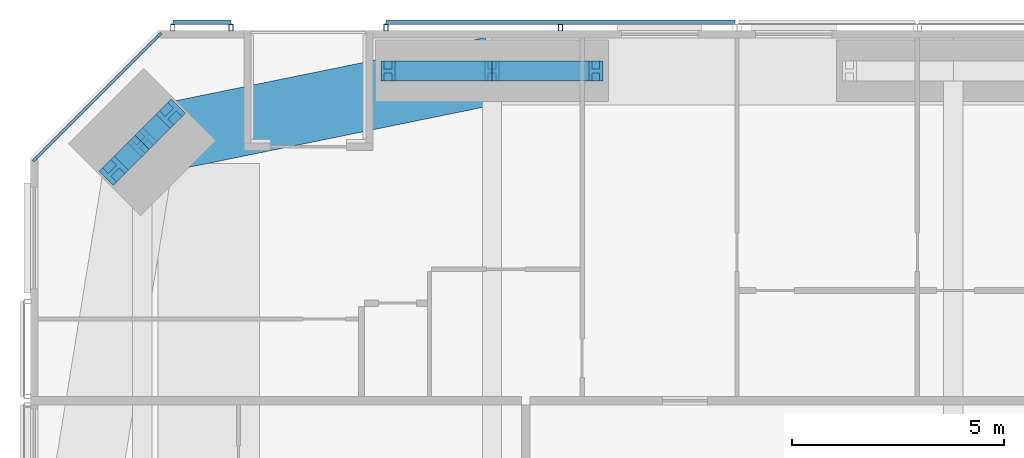
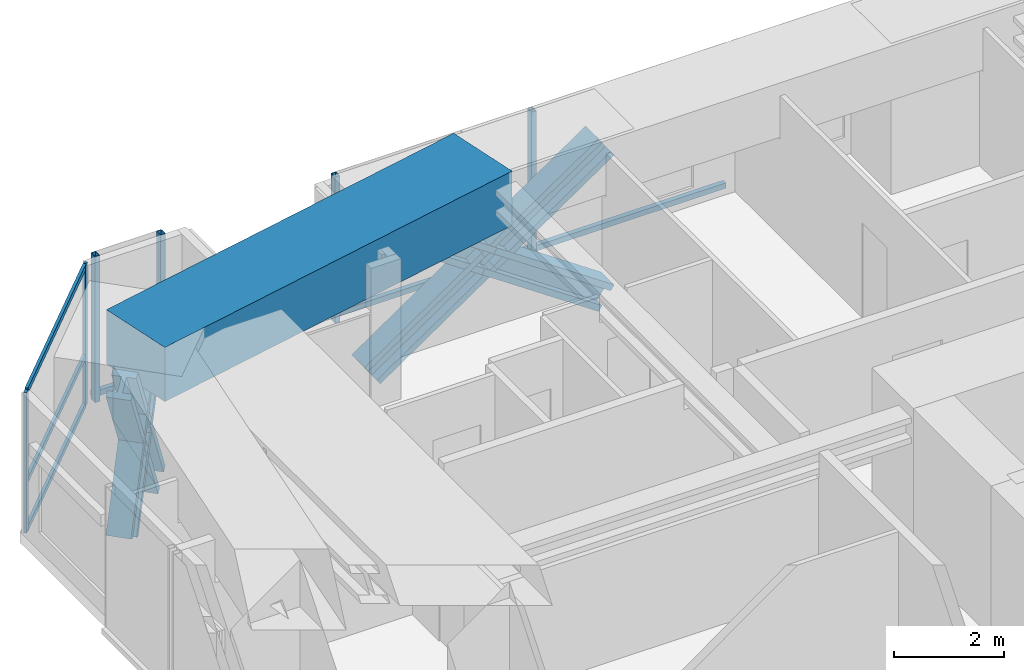
# One storey, part 11 of 23: 19 members, 1 beam, 3 elements without a shape of their own.
"""IFC4 building model written with IfcOpenShell, lengths in metres."""

from ifc_helpers import new_model, si_unit, direction, frame, origin, origin_2d, place, context, subcontext, project, spatial, rectangle, hollow_rectangle, i_section, extrude, material, material_profile, profile_set, type_object, element, aggregate, save


model = new_model("IFC4")

# Units and contexts
model_context = context("Model", 3, precision=1e-05, world=origin(), true_north=direction((0.0, 1.0)))
body_context = subcontext(model_context, "Body", "Model", "MODEL_VIEW")
ifc_project = project(units=[si_unit("LENGTHUNIT", "METRE"), si_unit("AREAUNIT", "SQUARE_METRE"), si_unit("VOLUMEUNIT", "CUBIC_METRE"), si_unit("PLANEANGLEUNIT", "RADIAN"), si_unit("MASSUNIT", "GRAM", prefix="KILO")], contexts=[model_context])

# Site, building, storey
site_placement = place(None, origin())
site = spatial("IfcSite", under=ifc_project, at=site_placement, CompositionType="ELEMENT")
building_placement = place(site_placement, origin())
building = spatial("IfcBuilding", under=site, at=building_placement, Name="Jalousie Tower", CompositionType="ELEMENT")
storey_placement = place(building_placement, frame((0.0, 0.0, 118.25)))
storey = spatial("IfcBuildingStorey", under=building, at=storey_placement, Name="L32", CompositionType="ELEMENT", Elevation=118.25)

# Curtain wall, members
ifc_material_1 = material(Name="Aluminium curtain wall", Category="aluminium")
curtain_wall_type_1 = type_object("IfcCurtainWallType", Name="CORNER WINDOW WALL", PredefinedType="USERDEFINED", material=ifc_material_1)
curtain_wall_1_placement = place(storey_placement, origin())
curtain_wall_1 = element("IfcCurtainWall", 1, at=curtain_wall_1_placement, inside=storey, type_object=curtain_wall_type_1, Name="Corner Window Wall L32 6", ObjectType="CORNER WINDOW WALL", PredefinedType="USERDEFINED")
ifc_material_2 = material(Name="Aluminium mullion", Category="aluminium")
ifc_material_profile_1 = material_profile(ifc_material_2, rectangle(XDim=0.06005859375, YDim=0.14990234375, at=origin_2d()), Name="MULLION 60x150")
ifc_profile_set_1 = profile_set([ifc_material_profile_1], Name="Aluminium mullion")
member_type_1 = type_object("IfcMemberType", Name="CORNER WINDOW WALL MULLION", PredefinedType="MULLION", material=ifc_profile_set_1)
member_1_placement = place(storey_placement, frame((9.030029296875, 37.891357421875, 0.0), z_axis=(0.0, 0.0, 1.0), x_axis=(0.707106781187, -0.707106781187, 0.0)))
member_1 = element("IfcMember", 2, at=member_1_placement, type_object=member_type_1, Name="CW-C mullion 1", PredefinedType="MULLION", context=body_context, shape_type="SweptSolid", body=[
    extrude(rectangle(XDim=0.06005859375, YDim=0.14990234375, at=origin_2d()), origin(), (0.0, 0.0, 1.0), 3.110107421875),
])
member_2_placement = place(storey_placement, frame((6.108642578125, 34.969970703125, 0.0), z_axis=(0.0, 0.0, 1.0), x_axis=(0.707106781187, -0.707106781187, 0.0)))
member_2 = element("IfcMember", 3, at=member_2_placement, type_object=member_type_1, Name="CW-C mullion 2", PredefinedType="MULLION", context=body_context, shape_type="SweptSolid", body=[
    extrude(rectangle(XDim=0.06005859375, YDim=0.14990234375, at=origin_2d()), origin(), (0.0, 0.0, 1.0), 3.110107421875),
])
ifc_material_3 = material(Name="Aluminium transom", Category="aluminium")
ifc_material_profile_2 = material_profile(ifc_material_3, rectangle(XDim=0.06005859375, YDim=0.1201171875, at=origin_2d()), Name="TRANSOM 60x120")
ifc_profile_set_2 = profile_set([ifc_material_profile_2], Name="Aluminium transom")
member_type_2 = type_object("IfcMemberType", Name="CORNER WINDOW WALL TRANSOM", PredefinedType="USERDEFINED", material=ifc_profile_set_2)
member_3_placement = place(storey_placement, frame((9.0087890625, 37.8701171875, 0.030029296875), z_axis=(-0.707106781187, -0.707106781187, 0.0), x_axis=(0.707106781187, -0.707106781187, 0.0)))
member_3 = element("IfcMember", 4, at=member_3_placement, type_object=member_type_2, Name="CW-C transom 1.1", ObjectType="TRANSOM", PredefinedType="USERDEFINED", context=body_context, shape_type="SweptSolid", body=[
    extrude(rectangle(XDim=0.06005859375, YDim=0.1201171875, at=origin_2d()), origin(), (0.0, 0.0, 1.0), 4.0712890625),
])
member_4_placement = place(storey_placement, frame((9.0087890625, 37.8701171875, 1.10009765625), z_axis=(-0.707106781187, -0.707106781187, 0.0), x_axis=(0.707106781187, -0.707106781187, 0.0)))
member_4 = element("IfcMember", 5, at=member_4_placement, type_object=member_type_2, Name="CW-C transom 1.2", ObjectType="TRANSOM", PredefinedType="USERDEFINED", context=body_context, shape_type="SweptSolid", body=[
    extrude(rectangle(XDim=0.06005859375, YDim=0.1201171875, at=origin_2d()), origin(), (0.0, 0.0, 1.0), 4.0712890625),
])
member_5_placement = place(storey_placement, frame((9.0087890625, 37.8701171875, 3.080078125), z_axis=(-0.707106781187, -0.707106781187, 0.0), x_axis=(0.707106781187, -0.707106781187, 0.0)))
member_5 = element("IfcMember", 6, at=member_5_placement, type_object=member_type_2, Name="CW-C transom 1.3", ObjectType="TRANSOM", PredefinedType="USERDEFINED", context=body_context, shape_type="SweptSolid", body=[
    extrude(rectangle(XDim=0.06005859375, YDim=0.1201171875, at=origin_2d()), origin(), (0.0, 0.0, 1.0), 4.0712890625),
])
aggregate(curtain_wall_1, [member_1, member_2, member_3, member_4, member_5])

# Members
ifc_material_4 = material(Name="Steel ASTM A992 Grade 50", Category="steel")
ifc_material_profile_3 = material_profile(ifc_material_4, i_section(OverallWidth=0.472412109375, OverallDepth=0.5791015625, WebThickness=0.094970703125, FlangeThickness=0.1298828125, at=origin_2d()), Name="W14X808")
ifc_profile_set_3 = profile_set([ifc_material_profile_3], Name="Steel ASTM A992 Grade 50")
member_type_3 = type_object("IfcMemberType", Name="PERIMETER BRACE W14X808", PredefinedType="BRACE", material=ifc_profile_set_3)
for number, where, z_axis, x_axis, name in (
    (7, (14.425048828125, 37.050048828125, -0.60009765625), (0.825500916831, 0.0, 0.564400776321), (0.0, 1.0, 0.0), "Perimeter brace 11 L32 part 1"),
    (8, (16.875, 37.050048828125, 1.074951171875), (0.825500916831, 0.0, 0.564400776321), (0.0, 1.0, 0.0), "Perimeter brace 11 L32 part 2"),
    (9, (19.324951171875, 37.050048828125, -0.60009765625), (-0.825500916831, 0.0, 0.564400776321), (0.0, -1.0, 0.0), "Perimeter brace 11 L32 part 3"),
    (10, (16.875, 37.050048828125, 1.074951171875), (-0.825500916831, 0.0, 0.564400776321), (0.0, -1.0, 0.0), "Perimeter brace 11 L32 part 4"),
):
    element("IfcMember", number, at=place(storey_placement, frame(where, z_axis=z_axis, x_axis=x_axis)), inside=storey, type_object=member_type_3, Name=name, PredefinedType="BRACE", context=body_context, shape_type="SweptSolid", body=[
        extrude(i_section(OverallWidth=0.472412109375, OverallDepth=0.5791015625, WebThickness=0.094970703125, FlangeThickness=0.1298828125, at=origin_2d()), origin(), (0.0, 0.0, 1.0), 2.9677734375),
    ])
for number, where, z_axis, x_axis, name in (
    (11, (9.302978515625, 36.040283203125, -0.60009765625), (-0.348789058631, -0.348789058631, 0.869880672943), (0.707106781187, -0.707106781187, 0.0), "Perimeter brace 12 L32 part 1"),
    (12, (8.63134765625, 35.36865234375, 1.074951171875), (-0.348789058631, -0.348789058631, 0.869880672943), (0.707106781187, -0.707106781187, 0.0), "Perimeter brace 12 L32 part 2"),
    (13, (7.959716796875, 34.697021484375, -0.60009765625), (0.348789058631, 0.348789058631, 0.869880672943), (-0.707106781187, 0.707106781187, 0.0), "Perimeter brace 12 L32 part 3"),
    (14, (8.63134765625, 35.36865234375, 1.074951171875), (0.348789058631, 0.348789058631, 0.869880672943), (-0.707106781187, 0.707106781187, 0.0), "Perimeter brace 12 L32 part 4"),
):
    element("IfcMember", number, at=place(storey_placement, frame(where, z_axis=z_axis, x_axis=x_axis)), inside=storey, type_object=member_type_3, Name=name, PredefinedType="BRACE", context=body_context, shape_type="SweptSolid", body=[
        extrude(i_section(OverallWidth=0.472412109375, OverallDepth=0.5791015625, WebThickness=0.094970703125, FlangeThickness=0.1298828125, at=origin_2d()), origin(), (0.0, 0.0, 1.0), 1.925537109375),
    ])

# Beam
ifc_material_5 = material(Name="Concrete f'c 40 MPa", Category="concrete")
ifc_material_profile_4 = material_profile(ifc_material_5, rectangle(XDim=1.60009765625, YDim=1.199951171875, at=origin_2d()), Name="RC 1600x1200")
ifc_profile_set_4 = profile_set([ifc_material_profile_4], Name="Concrete f'c 40 MPa")
beam_type = type_object("IfcBeamType", Name="RC BEAM 1600x1200", PredefinedType="BEAM", material=ifc_profile_set_4)
beam_placement = place(storey_placement, frame((16.875, 37.050048828125, 2.75), z_axis=(-0.97982690954, -0.199848010602, 0.0), x_axis=(0.199848010602, -0.97982690954, 0.0)))
element("IfcBeam", 15, at=beam_placement, inside=storey, type_object=beam_type, Name="Edge band beam 11-12 under L33", PredefinedType="BEAM", context=body_context, shape_type="SweptSolid", body=[
    extrude(rectangle(XDim=1.60009765625, YDim=1.199951171875, at=origin_2d()), origin(), (0.0, 0.0, 1.0), 8.413330078125),
])

# Curtain wall, members
ifc_material_6 = material(Name="Perforated aluminium sheet", Category="aluminium")
curtain_wall_type_2 = type_object("IfcCurtainWallType", Name="SOLAR SCREEN SS-1", PredefinedType="USERDEFINED", material=ifc_material_6)
curtain_wall_2_placement = place(storey_placement, origin())
curtain_wall_2 = element("IfcCurtainWall", 16, at=curtain_wall_2_placement, inside=storey, type_object=curtain_wall_type_2, Name="Solar screen L32", ObjectType="SOLAR SCREEN SS-1", PredefinedType="USERDEFINED")
ifc_material_7 = material(Name="Steel ASTM A500 Grade C", Category="steel")
ifc_material_profile_5 = material_profile(ifc_material_7, hollow_rectangle(XDim=0.1015625, YDim=0.15234375, WallThickness=0.00634765625, at=origin_2d()), Name="HSS6X4X1/4")
ifc_profile_set_5 = profile_set([ifc_material_profile_5], Name="Steel ASTM A500 Grade C")
member_type_4 = type_object("IfcMemberType", Name="SOLAR SCREEN SS-1 MULLION", PredefinedType="MULLION", material=ifc_profile_set_5)
member_6_placement = place(storey_placement, frame((18.487548828125, 38.0712890625, -0.1201171875), z_axis=(0.0, 0.0, 1.0), x_axis=(-1.0, 0.0, 0.0)))
member_6 = element("IfcMember", 17, at=member_6_placement, type_object=member_type_4, Name="SS1 post 2", PredefinedType="MULLION", context=body_context, shape_type="SweptSolid", body=[
    extrude(hollow_rectangle(XDim=0.1015625, YDim=0.15234375, WallThickness=0.00634765625, at=origin_2d()), origin(), (0.0, 0.0, 1.0), 3.230224609375),
])
member_7_placement = place(storey_placement, frame((14.375, 38.0712890625, -0.1201171875), z_axis=(0.0, 0.0, 1.0), x_axis=(-1.0, 0.0, 0.0)))
member_7 = element("IfcMember", 18, at=member_7_placement, type_object=member_type_4, Name="SS1 post 3", PredefinedType="MULLION", context=body_context, shape_type="SweptSolid", body=[
    extrude(hollow_rectangle(XDim=0.1015625, YDim=0.15234375, WallThickness=0.00634765625, at=origin_2d()), origin(), (0.0, 0.0, 1.0), 3.230224609375),
])

curtain_wall_3_placement = place(storey_placement, origin())
curtain_wall_3 = element("IfcCurtainWall", 19, at=curtain_wall_3_placement, inside=storey, type_object=curtain_wall_type_2, Name="Solar screen L32", ObjectType="SOLAR SCREEN SS-1", PredefinedType="USERDEFINED")
member_8_placement = place(storey_placement, frame((10.72509765625, 38.0712890625, -0.1201171875), z_axis=(0.0, 0.0, 1.0), x_axis=(-1.0, 0.0, 0.0)))
member_8 = element("IfcMember", 20, at=member_8_placement, type_object=member_type_4, Name="SS1 post 1", PredefinedType="MULLION", context=body_context, shape_type="SweptSolid", body=[
    extrude(hollow_rectangle(XDim=0.1015625, YDim=0.15234375, WallThickness=0.00634765625, at=origin_2d()), origin(), (0.0, 0.0, 1.0), 3.230224609375),
])
member_9_placement = place(storey_placement, frame((9.351318359375, 38.0712890625, -0.1201171875), z_axis=(0.0, 0.0, 1.0), x_axis=(-1.0, 0.0, 0.0)))
member_9 = element("IfcMember", 21, at=member_9_placement, type_object=member_type_4, Name="SS1 post 2", PredefinedType="MULLION", context=body_context, shape_type="SweptSolid", body=[
    extrude(hollow_rectangle(XDim=0.1015625, YDim=0.15234375, WallThickness=0.00634765625, at=origin_2d()), origin(), (0.0, 0.0, 1.0), 3.230224609375),
])

# Member
ifc_material_8 = material(Name="Extruded aluminium screen rail", Category="aluminium")
ifc_material_profile_6 = material_profile(ifc_material_8, rectangle(XDim=0.1015625, YDim=0.1201171875, at=origin_2d()), Name="RAIL 102x120")
ifc_profile_set_6 = profile_set([ifc_material_profile_6], Name="Extruded aluminium screen rail")
member_type_5 = type_object("IfcMemberType", Name="SOLAR SCREEN SS-1 TRANSOM", PredefinedType="USERDEFINED", material=ifc_profile_set_6)
member_10_placement = place(storey_placement, frame((22.60009765625, 38.1982421875, -0.06005859375), z_axis=(-1.0, 0.0, 0.0), x_axis=(0.0, -1.0, 0.0)))
member_10 = element("IfcMember", 22, at=member_10_placement, type_object=member_type_5, Name="SS1 rail", ObjectType="TRANSOM", PredefinedType="USERDEFINED", context=body_context, shape_type="SweptSolid", body=[
    extrude(rectangle(XDim=0.1015625, YDim=0.1201171875, at=origin_2d()), origin(), (0.0, 0.0, 1.0), 8.22509765625),
])

aggregate(curtain_wall_2, [member_6, member_7, member_10])

member_11_placement = place(storey_placement, frame((10.72509765625, 38.1982421875, -0.06005859375), z_axis=(-1.0, 0.0, 0.0), x_axis=(0.0, -1.0, 0.0)))
member_11 = element("IfcMember", 23, at=member_11_placement, type_object=member_type_5, Name="SS1 rail", ObjectType="TRANSOM", PredefinedType="USERDEFINED", context=body_context, shape_type="SweptSolid", body=[
    extrude(rectangle(XDim=0.1015625, YDim=0.1201171875, at=origin_2d()), origin(), (0.0, 0.0, 1.0), 1.373779296875),
])

aggregate(curtain_wall_3, [member_8, member_9, member_11])

save(model, "model.ifc")
